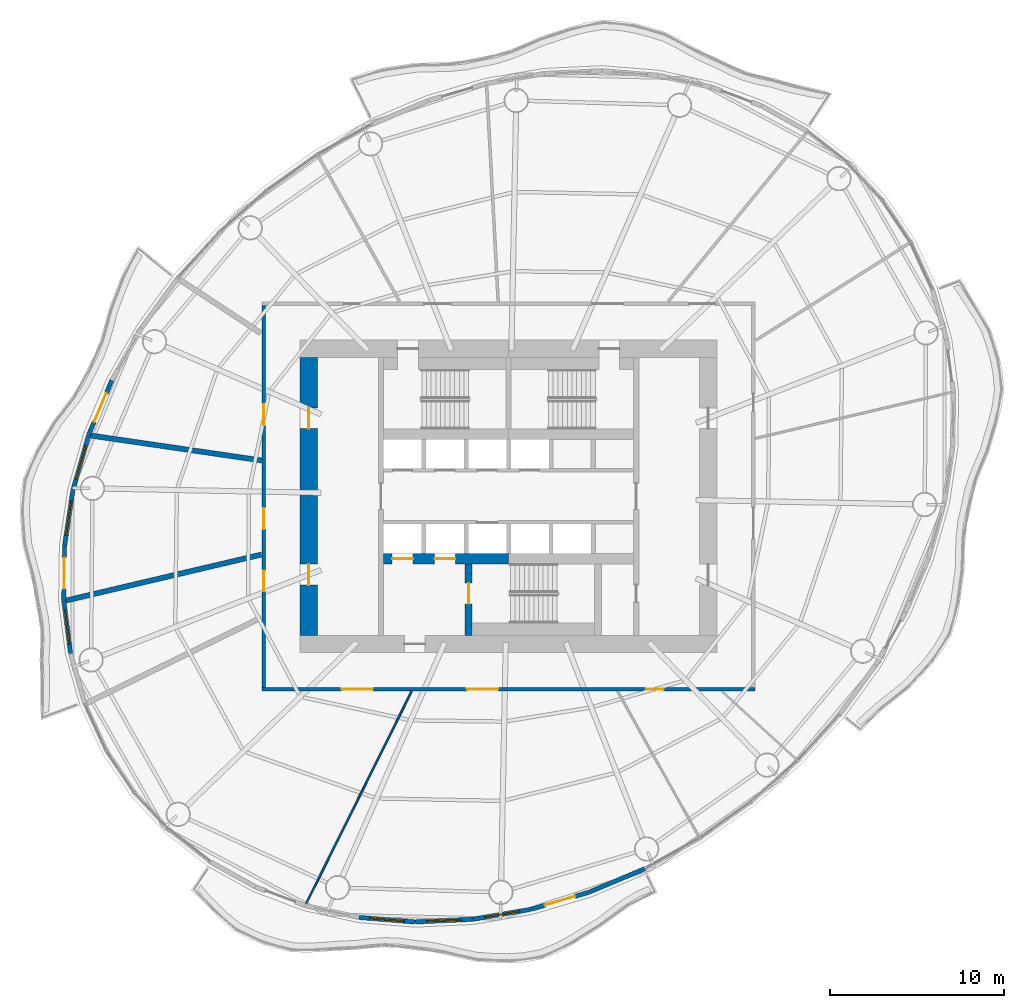
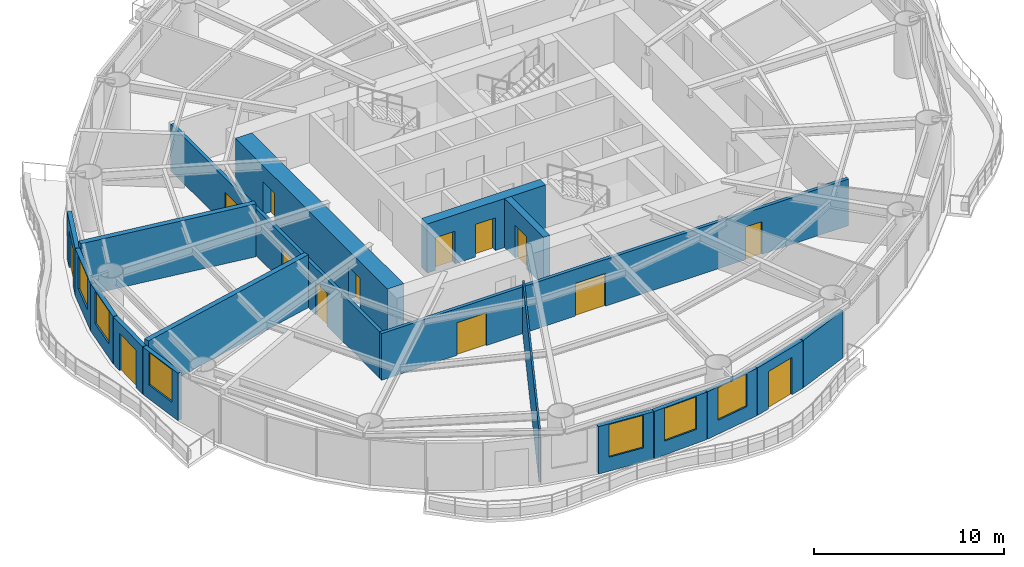
# One storey, part 8 of 14: 18 walls, 14 doors, 6 windows, 20 openings.
"""IFC4 building model written with IfcOpenShell, lengths in metres."""

from ifc_helpers import new_model, si_unit, direction, frame, frame_2d, origin, place, context, subcontext, project, spatial, rectangle, extrude, material, layer, layer_set, type_object, element, fill, save


model = new_model("IFC4")

# Units and contexts
model_context = context("Model", 3, precision=1e-05, world=origin(), true_north=direction((0.0, 1.0)))
body_context = subcontext(model_context, "Body", "Model", "MODEL_VIEW")
ifc_project = project(units=[si_unit("LENGTHUNIT", "METRE"), si_unit("AREAUNIT", "SQUARE_METRE"), si_unit("VOLUMEUNIT", "CUBIC_METRE"), si_unit("PLANEANGLEUNIT", "RADIAN"), si_unit("MASSUNIT", "GRAM", prefix="KILO")], contexts=[model_context])

# Site, building, storey
site_placement = place(None, origin())
site = spatial("IfcSite", under=ifc_project, at=site_placement, CompositionType="ELEMENT")
building_placement = place(site_placement, origin())
building = spatial("IfcBuilding", under=site, at=building_placement, Name="Vermilion Reach Broadcast Tower", CompositionType="ELEMENT")
storey_placement = place(building_placement, frame((0.0, 0.0, 186.60009765625)))
storey = spatial("IfcBuildingStorey", under=building, at=storey_placement, Name="L45", CompositionType="ELEMENT", Elevation=186.60009765625)

# Wall, opening, door
ifc_material_1 = material(Name="Concrete C70", Category="concrete")
ifc_layer_1 = layer(ifc_material_1, 0.39990234375)
ifc_layer_set_1 = layer_set([ifc_layer_1], Name="Core inner wall 400 mm Concrete C70")
wall_type_1 = type_object("IfcWallType", Name="Core inner wall 400 mm Concrete C70", PredefinedType="SHEAR", material=ifc_layer_set_1)
wall_1_placement = place(storey_placement, frame((-8.300048828125, -3.8798828125, 0.0), z_axis=(0.0, 0.0, 1.0), x_axis=(0.0, -1.0, 0.0)))
wall_1 = element("IfcWall", 1, at=wall_1_placement, inside=storey, type_object=wall_type_1, Name="L45 core wall wa", PredefinedType="SHEAR", context=body_context, shape_type="SweptSolid", body=[
    extrude(rectangle(XDim=4.1201171875, YDim=0.39990234375, at=frame_2d((2.06005859375, 0.0))), origin(), (0.0, 0.0, 1.0), 3.14990234375),
])
opening_1_placement = place(wall_1_placement, frame((1.110107421875, 0.0, 0.0)))
opening_1 = element("IfcOpeningElement", 2, at=opening_1_placement, cuts=wall_1, Name="Opening D01", PredefinedType="OPENING", context=body_context, shape_type="SweptSolid", body=[
    extrude(rectangle(XDim=1.199951171875, YDim=2.10009765625, at=frame_2d((0.60009765625, 1.050048828125))), frame((0.0, 0.2099609375, 0.0), z_axis=(0.0, -1.0, 0.0), x_axis=(1.0, 0.0, 0.0)), (0.0, 0.0, 1.0), 0.419921875),
])
ifc_material_2 = material(Name="Painted steel fire door", Category="steel")
door_type_1 = type_object("IfcDoorType", Name="Stair door 1200 x 2100", OperationType="DOUBLE_DOOR_SINGLE_SWING", PredefinedType="NOTDEFINED", material=ifc_material_2)
door_1_placement = place(opening_1_placement, origin())
door_1 = element("IfcDoor", 3, at=door_1_placement, inside=storey, type_object=door_type_1, Name="L45 stair door ST3", OperationType="DOUBLE_DOOR_SINGLE_SWING", OverallHeight=2.10009765625, OverallWidth=1.199951171875, PredefinedType="NOTDEFINED", context=body_context, shape_type="SweptSolid", body=[
    extrude(rectangle(XDim=1.199951171875, YDim=2.10009765625, at=frame_2d((0.60009765625, 1.050048828125))), frame((0.0, 0.02490234375, 0.0), z_axis=(0.0, -1.0, 0.0), x_axis=(1.0, 0.0, 0.0)), (0.0, 0.0, 1.0), 0.050048828125),
])
fill(opening_1, door_1)

# Wall, openings, doors
ifc_material_3 = material(Name="Concrete C70", Category="concrete")
ifc_layer_2 = layer(ifc_material_3, 0.60009765625)
ifc_layer_set_2 = layer_set([ifc_layer_2], Name="Core inner wall 600 mm Concrete C70")
wall_type_2 = type_object("IfcWallType", Name="Core inner wall 600 mm Concrete C70", PredefinedType="SHEAR", material=ifc_layer_set_2)
wall_2_placement = place(storey_placement, frame((-13.199951171875, -3.580078125, 0.0), z_axis=(0.0, 0.0, 1.0), x_axis=(1.0, 0.0, 0.0)))
wall_2 = element("IfcWall", 4, at=wall_2_placement, inside=storey, type_object=wall_type_2, Name="L45 core wall wisW", PredefinedType="SHEAR", context=body_context, shape_type="SweptSolid", body=[
    extrude(rectangle(XDim=7.199951171875, YDim=0.60009765625, at=frame_2d((3.60009765625, 0.0))), origin(), (0.0, 0.0, 1.0), 3.14990234375),
])
opening_2_placement = place(wall_2_placement, frame((0.495849609375, 0.0, 0.0)))
opening_2 = element("IfcOpeningElement", 5, at=opening_2_placement, cuts=wall_2, Name="Opening LD1", PredefinedType="OPENING", context=body_context, shape_type="SweptSolid", body=[
    extrude(rectangle(XDim=1.199951171875, YDim=2.10009765625, at=frame_2d((0.60009765625, 1.050048828125))), frame((0.0, 0.31005859375, 0.0), z_axis=(0.0, -1.0, 0.0), x_axis=(1.0, 0.0, 0.0)), (0.0, 0.0, 1.0), 0.6201171875),
])
opening_3_placement = place(wall_2_placement, frame((2.9375, 0.0, 0.0)))
opening_3 = element("IfcOpeningElement", 6, at=opening_3_placement, cuts=wall_2, Name="Opening LD1", PredefinedType="OPENING", context=body_context, shape_type="SweptSolid", body=[
    extrude(rectangle(XDim=1.199951171875, YDim=2.10009765625, at=frame_2d((0.60009765625, 1.050048828125))), frame((0.0, 0.31005859375, 0.0), z_axis=(0.0, -1.0, 0.0), x_axis=(1.0, 0.0, 0.0)), (0.0, 0.0, 1.0), 0.6201171875),
])
ifc_material_4 = material(Name="Stainless steel", Category="steel")
door_type_2 = type_object("IfcDoorType", Name="Landing door 1200 x 2100", OperationType="DOUBLE_DOOR_SLIDING", PredefinedType="NOTDEFINED", material=ifc_material_4)
door_2_placement = place(opening_2_placement, origin())
door_2 = element("IfcDoor", 7, at=door_2_placement, inside=storey, type_object=door_type_2, Name="L45 landing door FF1", OperationType="DOUBLE_DOOR_SLIDING", OverallHeight=2.10009765625, OverallWidth=1.199951171875, PredefinedType="NOTDEFINED", context=body_context, shape_type="SweptSolid", body=[
    extrude(rectangle(XDim=1.199951171875, YDim=2.10009765625, at=frame_2d((0.60009765625, 1.050048828125))), frame((0.0, 0.02490234375, 0.0), z_axis=(0.0, -1.0, 0.0), x_axis=(1.0, 0.0, 0.0)), (0.0, 0.0, 1.0), 0.050048828125),
])
fill(opening_2, door_2)
door_3_placement = place(opening_3_placement, origin())
door_3 = element("IfcDoor", 8, at=door_3_placement, inside=storey, type_object=door_type_2, Name="L45 landing door FF2", OperationType="DOUBLE_DOOR_SLIDING", OverallHeight=2.10009765625, OverallWidth=1.199951171875, PredefinedType="NOTDEFINED", context=body_context, shape_type="SweptSolid", body=[
    extrude(rectangle(XDim=1.199951171875, YDim=2.10009765625, at=frame_2d((0.60009765625, 1.050048828125))), frame((0.0, 0.02490234375, 0.0), z_axis=(0.0, -1.0, 0.0), x_axis=(1.0, 0.0, 0.0)), (0.0, 0.0, 1.0), 0.050048828125),
])
fill(opening_3, door_3)

ifc_material_5 = material(Name="Concrete C70", Category="concrete")
ifc_layer_3 = layer(ifc_material_5, 1.0)
ifc_layer_set_3 = layer_set([ifc_layer_3], Name="Core outer wall 1000 mm Concrete C70")
wall_type_3 = type_object("IfcWallType", Name="Core outer wall 1000 mm Concrete C70", PredefinedType="SHEAR", material=ifc_layer_set_3)
wall_3_placement = place(storey_placement, frame((-17.5, 8.0, 0.0), z_axis=(0.0, 0.0, 1.0), x_axis=(0.0, -1.0, 0.0)))
wall_3 = element("IfcWall", 9, at=wall_3_placement, inside=storey, type_object=wall_type_3, Name="L45 core wall ow", PredefinedType="SHEAR", context=body_context, shape_type="SweptSolid", body=[
    extrude(rectangle(XDim=16.0, YDim=1.0, at=frame_2d((8.0, 0.0))), origin(), (0.0, 0.0, 1.0), 3.14990234375),
])
opening_4_placement = place(wall_3_placement, frame((11.89990234375, 0.0, 0.0)))
opening_4 = element("IfcOpeningElement", 10, at=opening_4_placement, cuts=wall_3, Name="Opening D03", PredefinedType="OPENING", context=body_context, shape_type="SweptSolid", body=[
    extrude(rectangle(XDim=1.199951171875, YDim=2.10009765625, at=frame_2d((0.60009765625, 1.050048828125))), frame((0.0, 0.510009765625, 0.0), z_axis=(0.0, -1.0, 0.0), x_axis=(1.0, 0.0, 0.0)), (0.0, 0.0, 1.0), 1.02001953125),
])
opening_5_placement = place(wall_3_placement, frame((2.89990234375, 0.0, 0.0)))
opening_5 = element("IfcOpeningElement", 11, at=opening_5_placement, cuts=wall_3, Name="Opening D03", PredefinedType="OPENING", context=body_context, shape_type="SweptSolid", body=[
    extrude(rectangle(XDim=1.199951171875, YDim=2.10009765625, at=frame_2d((0.60009765625, 1.050048828125))), frame((0.0, 0.510009765625, 0.0), z_axis=(0.0, -1.0, 0.0), x_axis=(1.0, 0.0, 0.0)), (0.0, 0.0, 1.0), 1.02001953125),
])
ifc_material_6 = material(Name="Painted steel fire door", Category="steel")
door_type_3 = type_object("IfcDoorType", Name="Core lobby door 1200 x 2100", OperationType="DOUBLE_DOOR_SINGLE_SWING", PredefinedType="NOTDEFINED", material=ifc_material_6)
door_4_placement = place(opening_4_placement, origin())
door_4 = element("IfcDoor", 12, at=door_4_placement, inside=storey, type_object=door_type_3, Name="L45 slot door W0", OperationType="DOUBLE_DOOR_SINGLE_SWING", OverallHeight=2.10009765625, OverallWidth=1.199951171875, PredefinedType="NOTDEFINED", context=body_context, shape_type="SweptSolid", body=[
    extrude(rectangle(XDim=1.199951171875, YDim=2.10009765625, at=frame_2d((0.60009765625, 1.050048828125))), frame((0.0, 0.02490234375, 0.0), z_axis=(0.0, -1.0, 0.0), x_axis=(1.0, 0.0, 0.0)), (0.0, 0.0, 1.0), 0.050048828125),
])
fill(opening_4, door_4)
door_5_placement = place(opening_5_placement, origin())
door_5 = element("IfcDoor", 13, at=door_5_placement, inside=storey, type_object=door_type_3, Name="L45 slot door W1", OperationType="DOUBLE_DOOR_SINGLE_SWING", OverallHeight=2.10009765625, OverallWidth=1.199951171875, PredefinedType="NOTDEFINED", context=body_context, shape_type="SweptSolid", body=[
    extrude(rectangle(XDim=1.199951171875, YDim=2.10009765625, at=frame_2d((0.60009765625, 1.050048828125))), frame((0.0, 0.02490234375, 0.0), z_axis=(0.0, -1.0, 0.0), x_axis=(1.0, 0.0, 0.0)), (0.0, 0.0, 1.0), 0.050048828125),
])
fill(opening_5, door_5)

# Walls
ifc_material_7 = material(Name="Plasterboard on steel stud", Category="steel")
ifc_layer_4 = layer(ifc_material_7, 0.10009765625)
ifc_layer_set_4 = layer_set([ifc_layer_4], Name="Partition 100 steel stud")
wall_type_4 = type_object("IfcWallType", Name="Partition 100 steel stud", PredefinedType="PARTITIONING", material=ifc_layer_set_4)
wall_4_placement = place(storey_placement, frame((-17.65869140625, -23.445068359375, 0.0), z_axis=(0.0, 0.0, 1.0), x_axis=(0.445259511275, 0.8954015678, 0.0)))
element("IfcWall", 14, at=wall_4_placement, inside=storey, type_object=wall_type_4, Name="Partition 45.08", PredefinedType="PARTITIONING", context=body_context, shape_type="SweptSolid", body=[
    extrude(rectangle(XDim=13.650634765625, YDim=0.10009765625, at=frame_2d((6.8251953125, 0.0))), origin(), (0.0, 0.0, 1.0), 3.39990234375),
])
ifc_material_8 = material(Name="Double-leaf plasterboard on isolated steel stud", Category="steel")
ifc_layer_5 = layer(ifc_material_8, 0.300048828125)
ifc_layer_set_5 = layer_set([ifc_layer_5], Name="Partition 300 acoustic double leaf")
wall_type_5 = type_object("IfcWallType", Name="Partition 300 acoustic double leaf", PredefinedType="PARTITIONING", material=ifc_layer_set_5)
wall_5_placement = place(storey_placement, frame((-30.059326171875, 3.505859375, 0.0), z_axis=(0.0, 0.0, 1.0), x_axis=(0.98954824444, -0.144202191124, 0.0)))
element("IfcWall", 15, at=wall_5_placement, inside=storey, type_object=wall_type_5, Name="Partition 45.05", PredefinedType="PARTITIONING", context=body_context, shape_type="SweptSolid", body=[
    extrude(rectangle(XDim=9.941650390625, YDim=0.300048828125, at=frame_2d((4.970703125, 0.0))), origin(), (0.0, 0.0, 1.0), 3.39990234375),
])
wall_6_placement = place(storey_placement, frame((-31.48779296875, -5.996826171875, 0.0), z_axis=(0.0, 0.0, 1.0), x_axis=(0.973420214801, 0.229026385853, 0.0)))
element("IfcWall", 16, at=wall_6_placement, inside=storey, type_object=wall_type_5, Name="Partition 45.06", PredefinedType="PARTITIONING", context=body_context, shape_type="SweptSolid", body=[
    extrude(rectangle(XDim=11.560791015625, YDim=0.300048828125, at=frame_2d((5.7802734375, 0.0))), origin(), (0.0, 0.0, 1.0), 3.39990234375),
])

# Wall, opening, door
ifc_material_9 = material(Name="Terracotta rainscreen cladding", Category="masonry")
ifc_layer_6 = layer(ifc_material_9, 0.25)
ifc_layer_set_6 = layer_set([ifc_layer_6], Name="Terracotta rainscreen wall 250")
wall_type_6 = type_object("IfcWallType", Name="Terracotta rainscreen wall 250", PredefinedType="SOLIDWALL", material=ifc_layer_set_6)
wall_7_placement = place(storey_placement, frame((-28.855712890625, 6.67578125, 0.0), z_axis=(0.0, 0.0, 1.0), x_axis=(-0.389133942351, -0.921181184627, 0.0)))
wall_7 = element("IfcWall", 17, at=wall_7_placement, inside=storey, type_object=wall_type_6, Name="External wall L45 16", PredefinedType="SOLIDWALL", context=body_context, shape_type="SweptSolid", body=[
    extrude(rectangle(XDim=3.38427734375, YDim=0.25, at=frame_2d((1.692138671875, 0.0))), origin(), (0.0, 0.0, 1.0), 3.0498046875),
])
opening_6_placement = place(wall_7_placement, frame((0.7919921875, 0.0, 0.0)))
opening_6 = element("IfcOpeningElement", 18, at=opening_6_placement, cuts=wall_7, Name="Opening D70", PredefinedType="OPENING", context=body_context, shape_type="SweptSolid", body=[
    extrude(rectangle(XDim=1.800048828125, YDim=2.39990234375, at=frame_2d((0.89990234375, 1.199951171875))), frame((0.0, 0.135009765625, 0.0), z_axis=(0.0, -1.0, 0.0), x_axis=(1.0, 0.0, 0.0)), (0.0, 0.0, 1.0), 0.27001953125),
])
ifc_material_10 = material(Name="Low-e laminated clear glass in aluminium frame", Category="aluminium")
door_type_4 = type_object("IfcDoorType", Name="Balcony sliding door 1800 x 2400", OperationType="DOUBLE_DOOR_SLIDING", PredefinedType="DOOR", material=ifc_material_10)
door_6_placement = place(opening_6_placement, origin())
door_6 = element("IfcDoor", 19, at=door_6_placement, inside=storey, type_object=door_type_4, Name="Balcony door L45 run 04", OperationType="DOUBLE_DOOR_SLIDING", OverallHeight=2.39990234375, OverallWidth=1.800048828125, PredefinedType="DOOR", context=body_context, shape_type="SweptSolid", body=[
    extrude(rectangle(XDim=1.800048828125, YDim=2.39990234375, at=frame_2d((0.89990234375, 1.199951171875))), frame((0.0, 0.02490234375, 0.0), z_axis=(0.0, -1.0, 0.0), x_axis=(1.0, 0.0, 0.0)), (0.0, 0.0, 1.0), 0.050048828125),
])
fill(opening_6, door_6)

# Wall, opening, window
wall_8_placement = place(storey_placement, frame((-30.18017578125, 3.536376953125, 0.0), z_axis=(0.0, 0.0, 1.0), x_axis=(-0.273969029479, -0.961738514819, 0.0)))
wall_8 = element("IfcWall", 20, at=wall_8_placement, inside=storey, type_object=wall_type_6, Name="External wall L45 17", PredefinedType="SOLIDWALL", context=body_context, shape_type="SweptSolid", body=[
    extrude(rectangle(XDim=3.301513671875, YDim=0.25, at=frame_2d((1.65087890625, 0.0))), origin(), (0.0, 0.0, 1.0), 3.0498046875),
])
opening_7_placement = place(wall_8_placement, frame((0.65087890625, 0.0, 0.89990234375)))
opening_7 = element("IfcOpeningElement", 21, at=opening_7_placement, cuts=wall_8, Name="Opening W03", PredefinedType="OPENING", context=body_context, shape_type="SweptSolid", body=[
    extrude(rectangle(XDim=2.0, YDim=2.10009765625, at=frame_2d((1.0, 1.050048828125))), frame((0.0, 0.135009765625, 0.0), z_axis=(0.0, -1.0, 0.0), x_axis=(1.0, 0.0, 0.0)), (0.0, 0.0, 1.0), 0.27001953125),
])
ifc_material_11 = material(Name="Low-e laminated clear glass in aluminium frame", Category="aluminium")
window_type = type_object("IfcWindowType", Name="Punched window 2000 x 2100 sill 900", PartitioningType="SINGLE_PANEL", PredefinedType="WINDOW", material=ifc_material_11)
window_1_placement = place(opening_7_placement, origin())
window_1 = element("IfcWindow", 22, at=window_1_placement, inside=storey, type_object=window_type, Name="Window L45 17", OverallHeight=2.10009765625, OverallWidth=2.0, PartitioningType="SINGLE_PANEL", PredefinedType="WINDOW", context=body_context, shape_type="SweptSolid", body=[
    extrude(rectangle(XDim=2.0, YDim=2.10009765625, at=frame_2d((1.0, 1.050048828125))), frame((0.0, 0.030029296875, 0.0), z_axis=(0.0, -1.0, 0.0), x_axis=(1.0, 0.0, 0.0)), (0.0, 0.0, 1.0), 0.06005859375),
])
fill(opening_7, window_1)

wall_9_placement = place(storey_placement, frame((-31.08984375, 0.337646484375, 0.0), z_axis=(0.0, 0.0, 1.0), x_axis=(-0.148522482612, -0.988909031286, 0.0)))
wall_9 = element("IfcWall", 23, at=wall_9_placement, inside=storey, type_object=wall_type_6, Name="External wall L45 18", PredefinedType="SOLIDWALL", context=body_context, shape_type="SweptSolid", body=[
    extrude(rectangle(XDim=3.213623046875, YDim=0.25, at=frame_2d((1.60693359375, 0.0))), origin(), (0.0, 0.0, 1.0), 3.0498046875),
])
opening_8_placement = place(wall_9_placement, frame((0.606689453125, 0.0, 0.89990234375)))
opening_8 = element("IfcOpeningElement", 24, at=opening_8_placement, cuts=wall_9, Name="Opening W03", PredefinedType="OPENING", context=body_context, shape_type="SweptSolid", body=[
    extrude(rectangle(XDim=2.0, YDim=2.10009765625, at=frame_2d((1.0, 1.050048828125))), frame((0.0, 0.135009765625, 0.0), z_axis=(0.0, -1.0, 0.0), x_axis=(1.0, 0.0, 0.0)), (0.0, 0.0, 1.0), 0.27001953125),
])
window_2_placement = place(opening_8_placement, origin())
window_2 = element("IfcWindow", 25, at=window_2_placement, inside=storey, type_object=window_type, Name="Window L45 18", OverallHeight=2.10009765625, OverallWidth=2.0, PartitioningType="SINGLE_PANEL", PredefinedType="WINDOW", context=body_context, shape_type="SweptSolid", body=[
    extrude(rectangle(XDim=2.0, YDim=2.10009765625, at=frame_2d((1.0, 1.050048828125))), frame((0.0, 0.030029296875, 0.0), z_axis=(0.0, -1.0, 0.0), x_axis=(1.0, 0.0, 0.0)), (0.0, 0.0, 1.0), 0.06005859375),
])
fill(opening_8, window_2)

# Wall, opening, door
wall_10_placement = place(storey_placement, frame((-31.569091796875, -2.865234375, 0.0), z_axis=(0.0, 0.0, 1.0), x_axis=(-0.013901648004, -0.999903367422, 0.0)))
wall_10 = element("IfcWall", 26, at=wall_10_placement, inside=storey, type_object=wall_type_6, Name="External wall L45 19", PredefinedType="SOLIDWALL", context=body_context, shape_type="SweptSolid", body=[
    extrude(rectangle(XDim=3.1259765625, YDim=0.25, at=frame_2d((1.56298828125, 0.0))), origin(), (0.0, 0.0, 1.0), 3.0498046875),
])
opening_9_placement = place(wall_10_placement, frame((0.6630859375, 0.0, 0.0)))
opening_9 = element("IfcOpeningElement", 27, at=opening_9_placement, cuts=wall_10, Name="Opening D70", PredefinedType="OPENING", context=body_context, shape_type="SweptSolid", body=[
    extrude(rectangle(XDim=1.800048828125, YDim=2.39990234375, at=frame_2d((0.89990234375, 1.199951171875))), frame((0.0, 0.135009765625, 0.0), z_axis=(0.0, -1.0, 0.0), x_axis=(1.0, 0.0, 0.0)), (0.0, 0.0, 1.0), 0.27001953125),
])
door_7_placement = place(opening_9_placement, origin())
door_7 = element("IfcDoor", 28, at=door_7_placement, inside=storey, type_object=door_type_4, Name="Balcony door L45 run 05", OperationType="DOUBLE_DOOR_SLIDING", OverallHeight=2.39990234375, OverallWidth=1.800048828125, PredefinedType="DOOR", context=body_context, shape_type="SweptSolid", body=[
    extrude(rectangle(XDim=1.800048828125, YDim=2.39990234375, at=frame_2d((0.89990234375, 1.199951171875))), frame((0.0, 0.02490234375, 0.0), z_axis=(0.0, -1.0, 0.0), x_axis=(1.0, 0.0, 0.0)), (0.0, 0.0, 1.0), 0.050048828125),
])
fill(opening_9, door_7)

# Wall, opening, window
wall_11_placement = place(storey_placement, frame((-31.611083984375, -6.016845703125, 0.0), z_axis=(0.0, 0.0, 1.0), x_axis=(0.128108697177, -0.991760133151, 0.0)))
wall_11 = element("IfcWall", 29, at=wall_11_placement, inside=storey, type_object=wall_type_6, Name="External wall L45 20", PredefinedType="SOLIDWALL", context=body_context, shape_type="SweptSolid", body=[
    extrude(rectangle(XDim=3.04541015625, YDim=0.25, at=frame_2d((1.522705078125, 0.0))), origin(), (0.0, 0.0, 1.0), 3.0498046875),
])
opening_10_placement = place(wall_11_placement, frame((0.522705078125, 0.0, 0.89990234375)))
opening_10 = element("IfcOpeningElement", 30, at=opening_10_placement, cuts=wall_11, Name="Opening W03", PredefinedType="OPENING", context=body_context, shape_type="SweptSolid", body=[
    extrude(rectangle(XDim=2.0, YDim=2.10009765625, at=frame_2d((1.0, 1.050048828125))), frame((0.0, 0.135009765625, 0.0), z_axis=(0.0, -1.0, 0.0), x_axis=(1.0, 0.0, 0.0)), (0.0, 0.0, 1.0), 0.27001953125),
])
window_3_placement = place(opening_10_placement, origin())
window_3 = element("IfcWindow", 31, at=window_3_placement, inside=storey, type_object=window_type, Name="Window L45 20", OverallHeight=2.10009765625, OverallWidth=2.0, PartitioningType="SINGLE_PANEL", PredefinedType="WINDOW", context=body_context, shape_type="SweptSolid", body=[
    extrude(rectangle(XDim=2.0, YDim=2.10009765625, at=frame_2d((1.0, 1.050048828125))), frame((0.0, 0.030029296875, 0.0), z_axis=(0.0, -1.0, 0.0), x_axis=(1.0, 0.0, 0.0)), (0.0, 0.0, 1.0), 0.06005859375),
])
fill(opening_10, window_3)

wall_12_placement = place(storey_placement, frame((-14.603515625, -24.242919921875, 0.0), z_axis=(0.0, 0.0, 1.0), x_axis=(0.996696549615, -0.081215688051, 0.0)))
wall_12 = element("IfcWall", 32, at=wall_12_placement, inside=storey, type_object=wall_type_6, Name="External wall L45 29", PredefinedType="SOLIDWALL", context=body_context, shape_type="SweptSolid", body=[
    extrude(rectangle(XDim=3.21337890625, YDim=0.25, at=frame_2d((1.606689453125, 0.0))), origin(), (0.0, 0.0, 1.0), 3.0498046875),
])
opening_11_placement = place(wall_12_placement, frame((0.606689453125, 0.0, 0.89990234375)))
opening_11 = element("IfcOpeningElement", 33, at=opening_11_placement, cuts=wall_12, Name="Opening W03", PredefinedType="OPENING", context=body_context, shape_type="SweptSolid", body=[
    extrude(rectangle(XDim=2.0, YDim=2.10009765625, at=frame_2d((1.0, 1.050048828125))), frame((0.0, 0.135009765625, 0.0), z_axis=(0.0, -1.0, 0.0), x_axis=(1.0, 0.0, 0.0)), (0.0, 0.0, 1.0), 0.27001953125),
])
window_4_placement = place(opening_11_placement, origin())
window_4 = element("IfcWindow", 34, at=window_4_placement, inside=storey, type_object=window_type, Name="Window L45 29", OverallHeight=2.10009765625, OverallWidth=2.0, PartitioningType="SINGLE_PANEL", PredefinedType="WINDOW", context=body_context, shape_type="SweptSolid", body=[
    extrude(rectangle(XDim=2.0, YDim=2.10009765625, at=frame_2d((1.0, 1.050048828125))), frame((0.0, 0.030029296875, 0.0), z_axis=(0.0, -1.0, 0.0), x_axis=(1.0, 0.0, 0.0)), (0.0, 0.0, 1.0), 0.06005859375),
])
fill(opening_11, window_4)

wall_13_placement = place(storey_placement, frame((-11.376708984375, -24.50439453125, 0.0), z_axis=(0.0, 0.0, 1.0), x_axis=(0.998890112475, 0.047101413994, 0.0)))
wall_13 = element("IfcWall", 35, at=wall_13_placement, inside=storey, type_object=wall_type_6, Name="External wall L45 30", PredefinedType="SOLIDWALL", context=body_context, shape_type="SweptSolid", body=[
    extrude(rectangle(XDim=3.3017578125, YDim=0.25, at=frame_2d((1.65087890625, 0.0))), origin(), (0.0, 0.0, 1.0), 3.0498046875),
])
opening_12_placement = place(wall_13_placement, frame((0.65087890625, 0.0, 0.89990234375)))
opening_12 = element("IfcOpeningElement", 36, at=opening_12_placement, cuts=wall_13, Name="Opening W03", PredefinedType="OPENING", context=body_context, shape_type="SweptSolid", body=[
    extrude(rectangle(XDim=2.0, YDim=2.10009765625, at=frame_2d((1.0, 1.050048828125))), frame((0.0, 0.135009765625, 0.0), z_axis=(0.0, -1.0, 0.0), x_axis=(1.0, 0.0, 0.0)), (0.0, 0.0, 1.0), 0.27001953125),
])
window_5_placement = place(opening_12_placement, origin())
window_5 = element("IfcWindow", 37, at=window_5_placement, inside=storey, type_object=window_type, Name="Window L45 30", OverallHeight=2.10009765625, OverallWidth=2.0, PartitioningType="SINGLE_PANEL", PredefinedType="WINDOW", context=body_context, shape_type="SweptSolid", body=[
    extrude(rectangle(XDim=2.0, YDim=2.10009765625, at=frame_2d((1.0, 1.050048828125))), frame((0.0, 0.030029296875, 0.0), z_axis=(0.0, -1.0, 0.0), x_axis=(1.0, 0.0, 0.0)), (0.0, 0.0, 1.0), 0.06005859375),
])
fill(opening_12, window_5)

wall_14_placement = place(storey_placement, frame((-8.0556640625, -24.346435546875, 0.0), z_axis=(0.0, 0.0, 1.0), x_axis=(0.985711019597, 0.168445201314, 0.0)))
wall_14 = element("IfcWall", 38, at=wall_14_placement, inside=storey, type_object=wall_type_6, Name="External wall L45 31", PredefinedType="SOLIDWALL", context=body_context, shape_type="SweptSolid", body=[
    extrude(rectangle(XDim=3.38427734375, YDim=0.25, at=frame_2d((1.692138671875, 0.0))), origin(), (0.0, 0.0, 1.0), 3.0498046875),
])
opening_13_placement = place(wall_14_placement, frame((0.692138671875, 0.0, 0.89990234375)))
opening_13 = element("IfcOpeningElement", 39, at=opening_13_placement, cuts=wall_14, Name="Opening W03", PredefinedType="OPENING", context=body_context, shape_type="SweptSolid", body=[
    extrude(rectangle(XDim=2.0, YDim=2.10009765625, at=frame_2d((1.0, 1.050048828125))), frame((0.0, 0.135009765625, 0.0), z_axis=(0.0, -1.0, 0.0), x_axis=(1.0, 0.0, 0.0)), (0.0, 0.0, 1.0), 0.27001953125),
])
window_6_placement = place(opening_13_placement, origin())
window_6 = element("IfcWindow", 40, at=window_6_placement, inside=storey, type_object=window_type, Name="Window L45 31", OverallHeight=2.10009765625, OverallWidth=2.0, PartitioningType="SINGLE_PANEL", PredefinedType="WINDOW", context=body_context, shape_type="SweptSolid", body=[
    extrude(rectangle(XDim=2.0, YDim=2.10009765625, at=frame_2d((1.0, 1.050048828125))), frame((0.0, 0.030029296875, 0.0), z_axis=(0.0, -1.0, 0.0), x_axis=(1.0, 0.0, 0.0)), (0.0, 0.0, 1.0), 0.06005859375),
])
fill(opening_13, window_6)

# Wall, opening, door
wall_15_placement = place(storey_placement, frame((-4.69775390625, -23.771240234375, 0.0), z_axis=(0.0, 0.0, 1.0), x_axis=(0.959327255186, 0.28229632916, 0.0)))
wall_15 = element("IfcWall", 41, at=wall_15_placement, inside=storey, type_object=wall_type_6, Name="External wall L45 32", PredefinedType="SOLIDWALL", context=body_context, shape_type="SweptSolid", body=[
    extrude(rectangle(XDim=3.456787109375, YDim=0.25, at=frame_2d((1.728515625, 0.0))), origin(), (0.0, 0.0, 1.0), 3.0498046875),
])
opening_14_placement = place(wall_15_placement, frame((0.827880859375, 0.0, 0.0)))
opening_14 = element("IfcOpeningElement", 42, at=opening_14_placement, cuts=wall_15, Name="Opening D70", PredefinedType="OPENING", context=body_context, shape_type="SweptSolid", body=[
    extrude(rectangle(XDim=1.800048828125, YDim=2.39990234375, at=frame_2d((0.89990234375, 1.199951171875))), frame((0.0, 0.135009765625, 0.0), z_axis=(0.0, -1.0, 0.0), x_axis=(1.0, 0.0, 0.0)), (0.0, 0.0, 1.0), 0.27001953125),
])
door_8_placement = place(opening_14_placement, origin())
door_8 = element("IfcDoor", 43, at=door_8_placement, inside=storey, type_object=door_type_4, Name="Balcony door L45 run 08", OperationType="DOUBLE_DOOR_SLIDING", OverallHeight=2.39990234375, OverallWidth=1.800048828125, PredefinedType="DOOR", context=body_context, shape_type="SweptSolid", body=[
    extrude(rectangle(XDim=1.800048828125, YDim=2.39990234375, at=frame_2d((0.89990234375, 1.199951171875))), frame((0.0, 0.02490234375, 0.0), z_axis=(0.0, -1.0, 0.0), x_axis=(1.0, 0.0, 0.0)), (0.0, 0.0, 1.0), 0.050048828125),
])
fill(opening_14, door_8)

# Wall
wall_16_placement = place(storey_placement, frame((-1.360595703125, -22.7880859375, 0.0), z_axis=(0.0, 0.0, 1.0), x_axis=(0.921468444672, 0.388453221733, 0.0)))
element("IfcWall", 44, at=wall_16_placement, inside=storey, type_object=wall_type_6, Name="External wall L45 33", PredefinedType="SOLIDWALL", context=body_context, shape_type="SweptSolid", body=[
    extrude(rectangle(XDim=3.470458984375, YDim=0.25, at=frame_2d((1.7353515625, 0.0))), origin(), (0.0, 0.0, 1.0), 3.0498046875),
])

# Wall, openings, doors
ifc_material_12 = material(Name="Fire-rated gypsum board partition")
ifc_layer_7 = layer(ifc_material_12, 0.199951171875)
ifc_layer_set_7 = layer_set([ifc_layer_7], Name="Under girder: Corridor wall 200 fire-rated")
wall_type_7 = type_object("IfcWallType", Name="Under girder: Corridor wall 200 fire-rated", PredefinedType="PARTITIONING", material=ifc_layer_set_7)
wall_17_placement = place(storey_placement, frame((8.199951171875, -11.10009765625, 0.0), z_axis=(0.0, 0.0, 1.0), x_axis=(-1.0, 0.0, 0.0)))
wall_17 = element("IfcWall", 45, at=wall_17_placement, inside=storey, type_object=wall_type_7, Name="Corridor wall 45.S", PredefinedType="PARTITIONING", context=body_context, shape_type="SweptSolid", body=[
    extrude(rectangle(XDim=28.39990234375, YDim=0.199951171875, at=frame_2d((14.199951171875, 0.0))), origin(), (0.0, 0.0, 1.0), 3.0),
])
opening_15_placement = place(wall_17_placement, frame((22.0185546875, 0.0, 0.0)))
opening_15 = element("IfcOpeningElement", 46, at=opening_15_placement, cuts=wall_17, Name="Opening D21", PredefinedType="OPENING", context=body_context, shape_type="SweptSolid", body=[
    extrude(rectangle(XDim=1.800048828125, YDim=2.10009765625, at=frame_2d((0.89990234375, 1.050048828125))), frame((0.0, 0.10986328125, 0.0), z_axis=(0.0, -1.0, 0.0), x_axis=(1.0, 0.0, 0.0)), (0.0, 0.0, 1.0), 0.219970703125),
])
opening_16_placement = place(wall_17_placement, frame((14.799560546875, 0.0, 0.0)))
opening_16 = element("IfcOpeningElement", 47, at=opening_16_placement, cuts=wall_17, Name="Opening D21", PredefinedType="OPENING", context=body_context, shape_type="SweptSolid", body=[
    extrude(rectangle(XDim=1.800048828125, YDim=2.10009765625, at=frame_2d((0.89990234375, 1.050048828125))), frame((0.0, 0.10986328125, 0.0), z_axis=(0.0, -1.0, 0.0), x_axis=(1.0, 0.0, 0.0)), (0.0, 0.0, 1.0), 0.219970703125),
])
opening_17_placement = place(wall_17_placement, frame((5.27783203125, 0.0, 0.0)))
opening_17 = element("IfcOpeningElement", 48, at=opening_17_placement, cuts=wall_17, Name="Opening D20", PredefinedType="OPENING", context=body_context, shape_type="SweptSolid", body=[
    extrude(rectangle(XDim=1.0, YDim=2.10009765625, at=frame_2d((0.5, 1.050048828125))), frame((0.0, 0.10986328125, 0.0), z_axis=(0.0, -1.0, 0.0), x_axis=(1.0, 0.0, 0.0)), (0.0, 0.0, 1.0), 0.219970703125),
])
ifc_material_13 = material(Name="Timber door leaf", Category="wood")
door_type_5 = type_object("IfcDoorType", Name="Door pair 1800x2100", OperationType="NOTDEFINED", PredefinedType="DOOR", material=ifc_material_13)
door_9_placement = place(opening_15_placement, origin())
door_9 = element("IfcDoor", 49, at=door_9_placement, inside=storey, type_object=door_type_5, Name="Door 45.07", OperationType="DOUBLE_DOOR_SINGLE_SWING", OverallHeight=2.10009765625, OverallWidth=1.800048828125, PredefinedType="DOOR", context=body_context, shape_type="SweptSolid", body=[
    extrude(rectangle(XDim=1.800048828125, YDim=2.10009765625, at=frame_2d((0.89990234375, 1.050048828125))), frame((0.0, 0.02490234375, 0.0), z_axis=(0.0, -1.0, 0.0), x_axis=(1.0, 0.0, 0.0)), (0.0, 0.0, 1.0), 0.050048828125),
])
fill(opening_15, door_9)
door_10_placement = place(opening_16_placement, origin())
door_10 = element("IfcDoor", 50, at=door_10_placement, inside=storey, type_object=door_type_5, Name="Door 45.08", OperationType="DOUBLE_DOOR_SINGLE_SWING", OverallHeight=2.10009765625, OverallWidth=1.800048828125, PredefinedType="DOOR", context=body_context, shape_type="SweptSolid", body=[
    extrude(rectangle(XDim=1.800048828125, YDim=2.10009765625, at=frame_2d((0.89990234375, 1.050048828125))), frame((0.0, 0.02490234375, 0.0), z_axis=(0.0, -1.0, 0.0), x_axis=(1.0, 0.0, 0.0)), (0.0, 0.0, 1.0), 0.050048828125),
])
fill(opening_16, door_10)
ifc_material_14 = material(Name="Timber door leaf", Category="wood")
door_type_6 = type_object("IfcDoorType", Name="Door single 1000x2100", OperationType="NOTDEFINED", PredefinedType="DOOR", material=ifc_material_14)
door_11_placement = place(opening_17_placement, origin())
door_11 = element("IfcDoor", 51, at=door_11_placement, inside=storey, type_object=door_type_6, Name="Door 45.09", OperationType="SINGLE_SWING_RIGHT", OverallHeight=2.10009765625, OverallWidth=1.0, PredefinedType="DOOR", context=body_context, shape_type="SweptSolid", body=[
    extrude(rectangle(XDim=1.0, YDim=2.10009765625, at=frame_2d((0.5, 1.050048828125))), frame((0.0, 0.02490234375, 0.0), z_axis=(0.0, -1.0, 0.0), x_axis=(1.0, 0.0, 0.0)), (0.0, 0.0, 1.0), 0.050048828125),
])
fill(opening_17, door_11)

wall_18_placement = place(storey_placement, frame((-20.10009765625, -11.0, 0.0), z_axis=(0.0, 0.0, 1.0), x_axis=(0.0, 1.0, 0.0)))
wall_18 = element("IfcWall", 52, at=wall_18_placement, inside=storey, type_object=wall_type_7, Name="Corridor wall 45.W", PredefinedType="PARTITIONING", context=body_context, shape_type="SweptSolid", body=[
    extrude(rectangle(XDim=22.0, YDim=0.199951171875, at=frame_2d((11.0, 0.0))), origin(), (0.0, 0.0, 1.0), 3.0),
])
opening_18_placement = place(wall_18_placement, frame((15.095947265625, 0.0, 0.0)))
opening_18 = element("IfcOpeningElement", 53, at=opening_18_placement, cuts=wall_18, Name="Opening D26", PredefinedType="OPENING", context=body_context, shape_type="SweptSolid", body=[
    extrude(rectangle(XDim=1.199951171875, YDim=2.10009765625, at=frame_2d((0.60009765625, 1.050048828125))), frame((0.0, 0.10986328125, 0.0), z_axis=(0.0, -1.0, 0.0), x_axis=(1.0, 0.0, 0.0)), (0.0, 0.0, 1.0), 0.219970703125),
])
opening_19_placement = place(wall_18_placement, frame((9.1220703125, 0.0, 0.0)))
opening_19 = element("IfcOpeningElement", 54, at=opening_19_placement, cuts=wall_18, Name="Opening D26", PredefinedType="OPENING", context=body_context, shape_type="SweptSolid", body=[
    extrude(rectangle(XDim=1.199951171875, YDim=2.10009765625, at=frame_2d((0.60009765625, 1.050048828125))), frame((0.0, 0.10986328125, 0.0), z_axis=(0.0, -1.0, 0.0), x_axis=(1.0, 0.0, 0.0)), (0.0, 0.0, 1.0), 0.219970703125),
])
opening_20_placement = place(wall_18_placement, frame((5.53369140625, 0.0, 0.0)))
opening_20 = element("IfcOpeningElement", 55, at=opening_20_placement, cuts=wall_18, Name="Opening D26", PredefinedType="OPENING", context=body_context, shape_type="SweptSolid", body=[
    extrude(rectangle(XDim=1.199951171875, YDim=2.10009765625, at=frame_2d((0.60009765625, 1.050048828125))), frame((0.0, 0.10986328125, 0.0), z_axis=(0.0, -1.0, 0.0), x_axis=(1.0, 0.0, 0.0)), (0.0, 0.0, 1.0), 0.219970703125),
])
ifc_material_15 = material(Name="Acoustic timber door leaf", Category="wood")
door_type_7 = type_object("IfcDoorType", Name="Door single 1200x2100", OperationType="NOTDEFINED", PredefinedType="DOOR", material=ifc_material_15)
door_12_placement = place(opening_18_placement, origin())
door_12 = element("IfcDoor", 56, at=door_12_placement, inside=storey, type_object=door_type_7, Name="Door 45.04", OperationType="SINGLE_SWING_LEFT", OverallHeight=2.10009765625, OverallWidth=1.199951171875, PredefinedType="DOOR", context=body_context, shape_type="SweptSolid", body=[
    extrude(rectangle(XDim=1.199951171875, YDim=2.10009765625, at=frame_2d((0.60009765625, 1.050048828125))), frame((0.0, 0.02490234375, 0.0), z_axis=(0.0, -1.0, 0.0), x_axis=(1.0, 0.0, 0.0)), (0.0, 0.0, 1.0), 0.050048828125),
])
fill(opening_18, door_12)
door_13_placement = place(opening_19_placement, origin())
door_13 = element("IfcDoor", 57, at=door_13_placement, inside=storey, type_object=door_type_7, Name="Door 45.05", OperationType="SINGLE_SWING_LEFT", OverallHeight=2.10009765625, OverallWidth=1.199951171875, PredefinedType="DOOR", context=body_context, shape_type="SweptSolid", body=[
    extrude(rectangle(XDim=1.199951171875, YDim=2.10009765625, at=frame_2d((0.60009765625, 1.050048828125))), frame((0.0, 0.02490234375, 0.0), z_axis=(0.0, -1.0, 0.0), x_axis=(1.0, 0.0, 0.0)), (0.0, 0.0, 1.0), 0.050048828125),
])
fill(opening_19, door_13)
door_14_placement = place(opening_20_placement, origin())
door_14 = element("IfcDoor", 58, at=door_14_placement, inside=storey, type_object=door_type_7, Name="Door 45.06", OperationType="SINGLE_SWING_RIGHT", OverallHeight=2.10009765625, OverallWidth=1.199951171875, PredefinedType="DOOR", context=body_context, shape_type="SweptSolid", body=[
    extrude(rectangle(XDim=1.199951171875, YDim=2.10009765625, at=frame_2d((0.60009765625, 1.050048828125))), frame((0.0, 0.02490234375, 0.0), z_axis=(0.0, -1.0, 0.0), x_axis=(1.0, 0.0, 0.0)), (0.0, 0.0, 1.0), 0.050048828125),
])
fill(opening_20, door_14)

save(model, "model.ifc")
